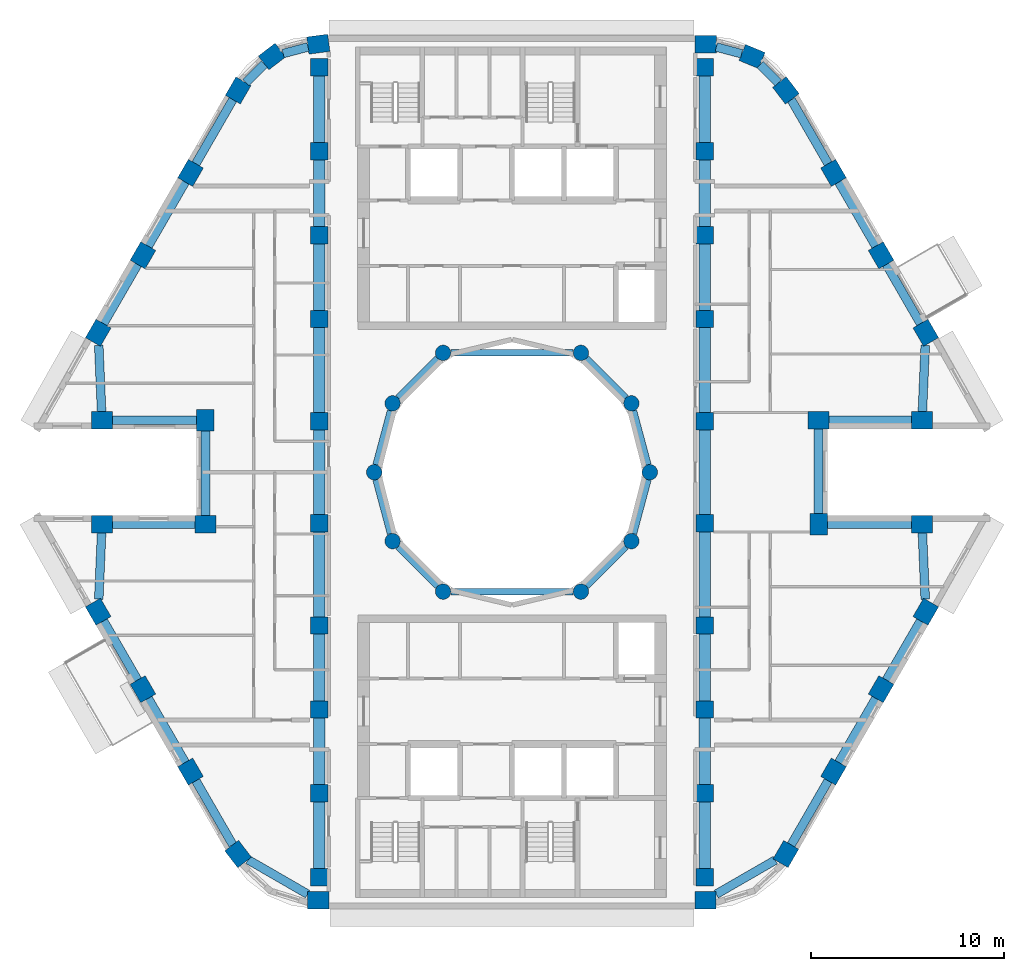
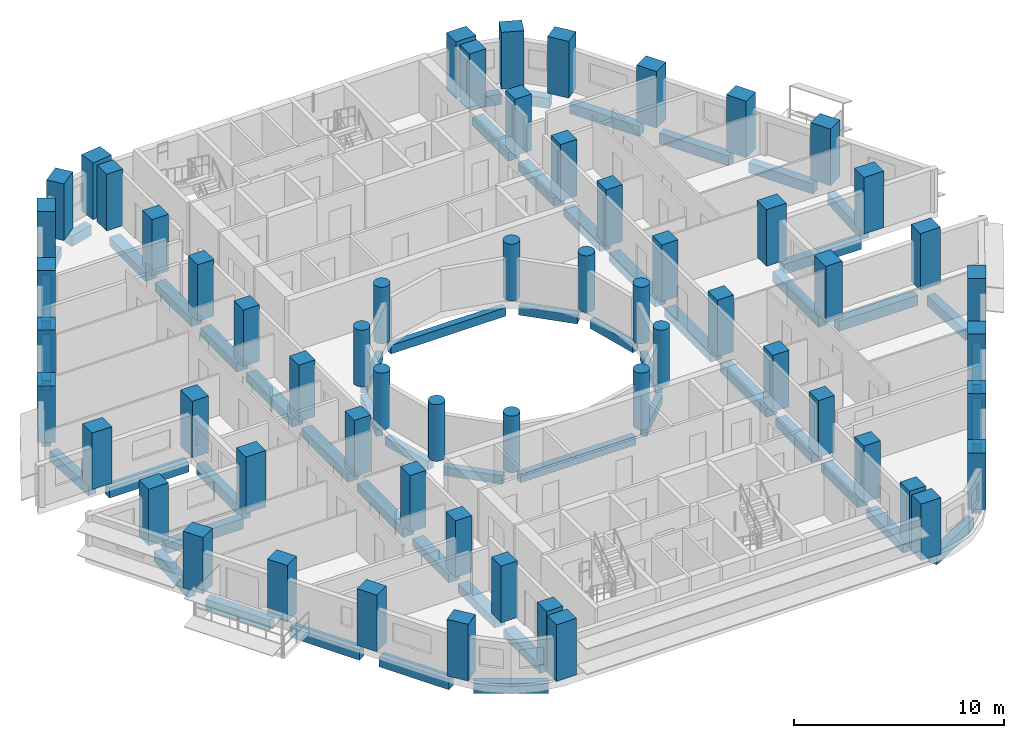
# One storey, part 1 of 16: 60 columns, 56 beams.
"""IFC4 building model written with IfcOpenShell, lengths in metres."""

from ifc_helpers import new_model, si_unit, direction, frame, origin, origin_2d, place, context, subcontext, project, spatial, rectangle, circle, extrude, material, material_profile, profile_set, type_object, element, save


model = new_model("IFC4")

# Units and contexts
model_context = context("Model", 3, precision=1e-05, world=origin(), true_north=direction((0.0, 1.0)))
body_context = subcontext(model_context, "Body", "Model", "MODEL_VIEW")
ifc_project = project(units=[si_unit("LENGTHUNIT", "METRE"), si_unit("AREAUNIT", "SQUARE_METRE"), si_unit("VOLUMEUNIT", "CUBIC_METRE"), si_unit("PLANEANGLEUNIT", "RADIAN"), si_unit("MASSUNIT", "GRAM", prefix="KILO")], contexts=[model_context])

# Site, building, storey
site_placement = place(None, origin())
site = spatial("IfcSite", under=ifc_project, at=site_placement, CompositionType="ELEMENT")
building_placement = place(site_placement, origin())
building = spatial("IfcBuilding", under=site, at=building_placement, Name="Nakaniwa Court", CompositionType="ELEMENT")
storey_placement = place(building_placement, frame((0.0, 0.0, 226.199951171875)))
storey = spatial("IfcBuildingStorey", under=building, at=storey_placement, Name="L58", CompositionType="ELEMENT", Elevation=226.199951171875)

# Columns
ifc_material = material(Name="Concrete C80/100", Category="concrete")
ifc_material_profile_1 = material_profile(ifc_material, rectangle(XDim=1.10009765625, YDim=0.89990234375, at=origin_2d()), Name="Concrete C80/100 RC 1100x900 perimeter column")
ifc_profile_set_1 = profile_set([ifc_material_profile_1], Name="Concrete C80/100")
column_type_1 = type_object("IfcColumnType", Name="Concrete C80/100 RC 1100x900 perimeter column", PredefinedType="COLUMN", material=ifc_profile_set_1)
for number, where, z_axis, x_axis, name in (
    (1, (69.95458984375, 102.199951171875, 0.0), (0.0, 0.0, 1.0), (-0.991442583111, -0.130543496177, 0.0), "COLUMN CO-01"),
    (2, (67.552001953125, 101.560302734375, 0.0), (0.0, 0.0, 1.0), (-0.793363965062, -0.608747582288, 0.0), "COLUMN CO-02"),
    (3, (65.796875, 99.799560546875, 0.0), (0.0, 0.0, 1.0), (-0.5, -0.866025403784, 0.0), "COLUMN CO-03"),
    (4, (63.328857421875, 95.524658203125, 0.0), (0.0, 0.0, 1.0), (-0.5, -0.866025403784, 0.0), "COLUMN CO-04"),
    (5, (60.860595703125, 91.249755859375, 0.0), (0.0, 0.0, 1.0), (-0.5, -0.866025403784, 0.0), "COLUMN CO-05"),
    (6, (58.541015625, 87.232177734375, 0.0), (0.0, 0.0, 1.0), (-0.5, -0.866025403784, 0.0), "COLUMN CO-06"),
    (7, (58.736083984375, 82.699951171875, 0.0), (0.0, 0.0, 1.0), (1.0, 0.0, 0.0), "COLUMN CO-08"),
    (8, (64.1005859375, 82.699951171875, 0.0), (0.0, 0.0, 1.0), (0.0, -1.0, 0.0), "COLUMN CO-09"),
    (9, (64.1005859375, 77.300048828125, 0.0), (0.0, 0.0, 1.0), (-1.0, 0.0, 0.0), "COLUMN CO-10"),
    (10, (58.736083984375, 77.300048828125, 0.0), (0.0, 0.0, 1.0), (-1.0, 0.0, 0.0), "COLUMN CO-11"),
    (11, (58.541015625, 72.767822265625, 0.0), (0.0, 0.0, 1.0), (0.5, -0.866025403784, 0.0), "COLUMN CO-13"),
    (12, (60.860595703125, 68.750244140625, 0.0), (0.0, 0.0, 1.0), (0.5, -0.866025403784, 0.0), "COLUMN CO-14"),
    (13, (63.328857421875, 64.475341796875, 0.0), (0.0, 0.0, 1.0), (0.5, -0.866025403784, 0.0), "COLUMN CO-15"),
    (14, (65.796875, 60.200439453125, 0.0), (0.0, 0.0, 1.0), (0.608761429009, -0.793353340291, 0.0), "COLUMN CO-16"),
    (15, (69.95458984375, 57.800048828125, 0.0), (0.0, 0.0, 1.0), (1.0, 0.0, 0.0), "COLUMN CO-17"),
    (16, (90.03955078125, 57.800048828125, 0.0), (0.0, 0.0, 1.0), (1.0, 0.0, 0.0), "COLUMN CO-21"),
    (17, (94.203125, 60.200439453125, 0.0), (0.0, 0.0, 1.0), (0.5, 0.866025403784, 0.0), "COLUMN CO-22"),
    (18, (96.671142578125, 64.475341796875, 0.0), (0.0, 0.0, 1.0), (0.5, 0.866025403784, 0.0), "COLUMN CO-23"),
    (19, (99.139404296875, 68.750244140625, 0.0), (0.0, 0.0, 1.0), (0.5, 0.866025403784, 0.0), "COLUMN CO-24"),
    (20, (101.458984375, 72.767822265625, 0.0), (0.0, 0.0, 1.0), (0.5, 0.866025403784, 0.0), "COLUMN CO-25"),
    (21, (101.263916015625, 77.300048828125, 0.0), (0.0, 0.0, 1.0), (-1.0, 0.0, 0.0), "COLUMN CO-27"),
    (22, (95.8994140625, 77.300048828125, 0.0), (0.0, 0.0, 1.0), (0.0, 1.0, 0.0), "COLUMN CO-28"),
    (23, (95.8994140625, 82.699951171875, 0.0), (0.0, 0.0, 1.0), (1.0, 0.0, 0.0), "COLUMN CO-29"),
    (24, (101.263916015625, 82.699951171875, 0.0), (0.0, 0.0, 1.0), (1.0, 0.0, 0.0), "COLUMN CO-30"),
    (25, (101.458984375, 87.232177734375, 0.0), (0.0, 0.0, 1.0), (-0.5, 0.866025403784, 0.0), "COLUMN CO-32"),
    (26, (99.139404296875, 91.249755859375, 0.0), (0.0, 0.0, 1.0), (-0.5, 0.866025403784, 0.0), "COLUMN CO-33"),
    (27, (96.671142578125, 95.524658203125, 0.0), (0.0, 0.0, 1.0), (-0.5, 0.866025403784, 0.0), "COLUMN CO-34"),
    (28, (94.203125, 99.799560546875, 0.0), (0.0, 0.0, 1.0), (-0.608761429009, 0.793353340291, 0.0), "COLUMN CO-35"),
    (29, (92.447998046875, 101.560302734375, 0.0), (0.0, 0.0, 1.0), (-0.923879532511, 0.382683432365, 0.0), "COLUMN CO-36"),
    (30, (90.04541015625, 102.199951171875, 0.0), (0.0, 0.0, 1.0), (-1.0, 0.0, 0.0), "COLUMN CO-37"),
):
    element("IfcColumn", number, at=place(storey_placement, frame(where, z_axis=z_axis, x_axis=x_axis)), inside=storey, type_object=column_type_1, Name=name, PredefinedType="COLUMN", context=body_context, shape_type="SweptSolid", body=[
        extrude(rectangle(XDim=1.10009765625, YDim=0.89990234375, at=origin_2d()), origin(), (0.0, 0.0, 1.0), 3.300048828125),
    ])
ifc_material_profile_2 = material_profile(ifc_material, rectangle(XDim=0.89990234375, YDim=0.89990234375, at=origin_2d()), Name="Concrete C80/100 RC 900x900 spine column")
ifc_profile_set_2 = profile_set([ifc_material_profile_2], Name="Concrete C80/100")
column_type_2 = type_object("IfcColumnType", Name="Concrete C80/100 RC 900x900 spine column", PredefinedType="COLUMN", material=ifc_profile_set_2)
for number, where, z_axis, x_axis, name in (
    (31, (90.0, 59.0, 0.0), (0.0, 0.0, 1.0), (0.0, 1.0, 0.0), "COLUMN CS-01"),
    (32, (90.0, 63.35009765625, 0.0), (0.0, 0.0, 1.0), (0.0, 1.0, 0.0), "COLUMN CS-02"),
    (33, (90.0, 67.699951171875, 0.0), (0.0, 0.0, 1.0), (0.0, 1.0, 0.0), "COLUMN CS-03"),
    (34, (90.0, 72.050048828125, 0.0), (0.0, 0.0, 1.0), (0.0, 1.0, 0.0), "COLUMN CS-04"),
    (35, (90.0, 77.35009765625, 0.0), (0.0, 0.0, 1.0), (0.0, 1.0, 0.0), "COLUMN CS-05"),
    (36, (90.0, 82.64990234375, 0.0), (0.0, 0.0, 1.0), (0.0, 1.0, 0.0), "COLUMN CS-06"),
    (37, (90.0, 87.949951171875, 0.0), (0.0, 0.0, 1.0), (0.0, 1.0, 0.0), "COLUMN CS-07"),
    (38, (90.0, 92.300048828125, 0.0), (0.0, 0.0, 1.0), (0.0, 1.0, 0.0), "COLUMN CS-08"),
    (39, (90.0, 96.64990234375, 0.0), (0.0, 0.0, 1.0), (0.0, 1.0, 0.0), "COLUMN CS-09"),
    (40, (90.0, 101.0, 0.0), (0.0, 0.0, 1.0), (0.0, 1.0, 0.0), "COLUMN CS-10"),
    (41, (70.0, 101.0, 0.0), (0.0, 0.0, 1.0), (0.0, -1.0, 0.0), "COLUMN CS-11"),
    (42, (70.0, 96.64990234375, 0.0), (0.0, 0.0, 1.0), (0.0, -1.0, 0.0), "COLUMN CS-12"),
    (43, (70.0, 92.300048828125, 0.0), (0.0, 0.0, 1.0), (0.0, -1.0, 0.0), "COLUMN CS-13"),
    (44, (70.0, 87.949951171875, 0.0), (0.0, 0.0, 1.0), (0.0, -1.0, 0.0), "COLUMN CS-14"),
    (45, (70.0, 82.64990234375, 0.0), (0.0, 0.0, 1.0), (0.0, -1.0, 0.0), "COLUMN CS-15"),
    (46, (70.0, 77.35009765625, 0.0), (0.0, 0.0, 1.0), (0.0, -1.0, 0.0), "COLUMN CS-16"),
    (47, (70.0, 72.050048828125, 0.0), (0.0, 0.0, 1.0), (0.0, -1.0, 0.0), "COLUMN CS-17"),
    (48, (70.0, 67.699951171875, 0.0), (0.0, 0.0, 1.0), (0.0, -1.0, 0.0), "COLUMN CS-18"),
    (49, (70.0, 63.35009765625, 0.0), (0.0, 0.0, 1.0), (0.0, -1.0, 0.0), "COLUMN CS-19"),
    (50, (70.0, 59.0, 0.0), (0.0, 0.0, 1.0), (0.0, -1.0, 0.0), "COLUMN CS-20"),
):
    element("IfcColumn", number, at=place(storey_placement, frame(where, z_axis=z_axis, x_axis=x_axis)), inside=storey, type_object=column_type_2, Name=name, PredefinedType="COLUMN", context=body_context, shape_type="SweptSolid", body=[
        extrude(rectangle(XDim=0.89990234375, YDim=0.89990234375, at=origin_2d()), origin(), (0.0, 0.0, 1.0), 3.300048828125),
    ])
ifc_material_profile_3 = material_profile(ifc_material, circle(Radius=0.39990234375, at=origin_2d()), Name="Concrete C80/100 RC D800 inner ring column")
ifc_profile_set_3 = profile_set([ifc_material_profile_3], Name="Concrete C80/100")
column_type_3 = type_object("IfcColumnType", Name="Concrete C80/100 RC D800 inner ring column", PredefinedType="COLUMN", material=ifc_profile_set_3)
for number, where, z_axis, x_axis, name in (
    (51, (87.14990234375, 80.0, 0.0), (0.0, 0.0, 1.0), (0.0, 1.0, 0.0), "COLUMN CI-01"),
    (52, (86.192138671875, 83.574951171875, 0.0), (0.0, 0.0, 1.0), (-0.5, 0.866025403784, 0.0), "COLUMN CI-02"),
    (53, (83.574951171875, 86.192138671875, 0.0), (0.0, 0.0, 1.0), (-0.866025403784, 0.5, 0.0), "COLUMN CI-03"),
    (54, (76.425048828125, 86.192138671875, 0.0), (0.0, 0.0, 1.0), (-0.866025403784, -0.5, 0.0), "COLUMN CI-05"),
    (55, (73.807861328125, 83.574951171875, 0.0), (0.0, 0.0, 1.0), (-0.5, -0.866025403784, 0.0), "COLUMN CI-06"),
    (56, (72.85009765625, 80.0, 0.0), (0.0, 0.0, 1.0), (0.0, -1.0, 0.0), "COLUMN CI-07"),
    (57, (73.807861328125, 76.425048828125, 0.0), (0.0, 0.0, 1.0), (0.5, -0.866025403784, 0.0), "COLUMN CI-08"),
    (58, (76.425048828125, 73.807861328125, 0.0), (0.0, 0.0, 1.0), (0.866025403784, -0.5, 0.0), "COLUMN CI-09"),
    (59, (83.574951171875, 73.807861328125, 0.0), (0.0, 0.0, 1.0), (0.866025403784, 0.5, 0.0), "COLUMN CI-11"),
    (60, (86.192138671875, 76.425048828125, 0.0), (0.0, 0.0, 1.0), (0.5, 0.866025403784, 0.0), "COLUMN CI-12"),
):
    element("IfcColumn", number, at=place(storey_placement, frame(where, z_axis=z_axis, x_axis=x_axis)), inside=storey, type_object=column_type_3, Name=name, PredefinedType="COLUMN", context=body_context, shape_type="SweptSolid", body=[
        extrude(circle(Radius=0.39990234375, at=origin_2d()), origin(), (0.0, 0.0, 1.0), 3.300048828125),
    ])

# Beams
ifc_material_profile_4 = material_profile(ifc_material, rectangle(XDim=0.35009765625, YDim=0.5, at=origin_2d()), Name="Concrete C80/100 RC 350x500 ring beam")
ifc_profile_set_4 = profile_set([ifc_material_profile_4], Name="Concrete C80/100")
beam_type_1 = type_object("IfcBeamType", Name="Concrete C80/100 RC 350x500 ring beam", PredefinedType="BEAM", material=ifc_profile_set_4)
beam_1_placement = place(storey_placement, frame((87.04638671875, 80.386474609375, -0.659912109375), z_axis=(-0.258778150207, 0.965936783115, 0.0), x_axis=(-0.965936783115, -0.258778150207, 0.0)))
element("IfcBeam", 61, at=beam_1_placement, inside=storey, type_object=beam_type_1, Name="RING BEAM", PredefinedType="BEAM", context=body_context, shape_type="SweptSolid", body=[
    extrude(rectangle(XDim=0.35009765625, YDim=0.5, at=origin_2d()), origin(), (0.0, 0.0, 1.0), 2.901123046875),
])
beam_2_placement = place(storey_placement, frame((85.9091796875, 83.85791015625, -0.659912109375), z_axis=(-0.707106781187, 0.707106781187, 0.0), x_axis=(-0.707106781187, -0.707106781187, 0.0)))
element("IfcBeam", 62, at=beam_2_placement, inside=storey, type_object=beam_type_1, Name="RING BEAM", PredefinedType="BEAM", context=body_context, shape_type="SweptSolid", body=[
    extrude(rectangle(XDim=0.35009765625, YDim=0.5, at=origin_2d()), origin(), (0.0, 0.0, 1.0), 2.90087890625),
])
beam_3_placement = place(storey_placement, frame((83.175048828125, 86.192138671875, -0.659912109375), z_axis=(-1.0, 0.0, 0.0), x_axis=(0.0, -1.0, 0.0)))
element("IfcBeam", 63, at=beam_3_placement, inside=storey, type_object=beam_type_1, Name="RING BEAM", PredefinedType="BEAM", context=body_context, shape_type="SweptSolid", body=[
    extrude(rectangle(XDim=0.35009765625, YDim=0.5, at=origin_2d()), origin(), (0.0, 0.0, 1.0), 6.35009765625),
])
beam_4_placement = place(storey_placement, frame((76.14208984375, 85.9091796875, -0.659912109375), z_axis=(-0.707106781187, -0.707106781187, 0.0), x_axis=(0.707106781187, -0.707106781187, 0.0)))
element("IfcBeam", 64, at=beam_4_placement, inside=storey, type_object=beam_type_1, Name="RING BEAM", PredefinedType="BEAM", context=body_context, shape_type="SweptSolid", body=[
    extrude(rectangle(XDim=0.35009765625, YDim=0.5, at=origin_2d()), origin(), (0.0, 0.0, 1.0), 2.90087890625),
])
for number, where, z_axis, x_axis, name in (
    (65, (73.704345703125, 83.188720703125, -0.659912109375), (-0.258778150207, -0.965936783115, 0.0), (0.965936783115, -0.258778150207, 0.0), "RING BEAM"),
    (66, (72.95361328125, 79.613525390625, -0.659912109375), (0.258778150207, -0.965936783115, 0.0), (0.965936783115, 0.258778150207, 0.0), "RING BEAM"),
):
    element("IfcBeam", number, at=place(storey_placement, frame(where, z_axis=z_axis, x_axis=x_axis)), inside=storey, type_object=beam_type_1, Name=name, PredefinedType="BEAM", context=body_context, shape_type="SweptSolid", body=[
        extrude(rectangle(XDim=0.35009765625, YDim=0.5, at=origin_2d()), origin(), (0.0, 0.0, 1.0), 2.901123046875),
    ])
beam_5_placement = place(storey_placement, frame((74.0908203125, 76.14208984375, -0.659912109375), z_axis=(0.707106781187, -0.707106781187, 0.0), x_axis=(0.707106781187, 0.707106781187, 0.0)))
element("IfcBeam", 67, at=beam_5_placement, inside=storey, type_object=beam_type_1, Name="RING BEAM", PredefinedType="BEAM", context=body_context, shape_type="SweptSolid", body=[
    extrude(rectangle(XDim=0.35009765625, YDim=0.5, at=origin_2d()), origin(), (0.0, 0.0, 1.0), 2.90087890625),
])
beam_6_placement = place(storey_placement, frame((76.824951171875, 73.807861328125, -0.659912109375), z_axis=(1.0, 0.0, 0.0), x_axis=(0.0, 1.0, 0.0)))
element("IfcBeam", 68, at=beam_6_placement, inside=storey, type_object=beam_type_1, Name="RING BEAM", PredefinedType="BEAM", context=body_context, shape_type="SweptSolid", body=[
    extrude(rectangle(XDim=0.35009765625, YDim=0.5, at=origin_2d()), origin(), (0.0, 0.0, 1.0), 6.35009765625),
])
beam_7_placement = place(storey_placement, frame((83.85791015625, 74.0908203125, -0.659912109375), z_axis=(0.707106781187, 0.707106781187, 0.0), x_axis=(-0.707106781187, 0.707106781187, 0.0)))
element("IfcBeam", 69, at=beam_7_placement, inside=storey, type_object=beam_type_1, Name="RING BEAM", PredefinedType="BEAM", context=body_context, shape_type="SweptSolid", body=[
    extrude(rectangle(XDim=0.35009765625, YDim=0.5, at=origin_2d()), origin(), (0.0, 0.0, 1.0), 2.90087890625),
])
beam_8_placement = place(storey_placement, frame((86.295654296875, 76.811279296875, -0.659912109375), z_axis=(0.258778150207, 0.965936783115, 0.0), x_axis=(-0.965936783115, 0.258778150207, 0.0)))
element("IfcBeam", 70, at=beam_8_placement, inside=storey, type_object=beam_type_1, Name="RING BEAM", PredefinedType="BEAM", context=body_context, shape_type="SweptSolid", body=[
    extrude(rectangle(XDim=0.35009765625, YDim=0.5, at=origin_2d()), origin(), (0.0, 0.0, 1.0), 2.901123046875),
])
ifc_material_profile_5 = material_profile(ifc_material, rectangle(XDim=0.449951171875, YDim=0.60009765625, at=origin_2d()), Name="Concrete C80/100 RC 450x600 spandrel beam")
ifc_profile_set_5 = profile_set([ifc_material_profile_5], Name="Concrete C80/100")
beam_type_2 = type_object("IfcBeamType", Name="Concrete C80/100 RC 450x600 spandrel beam", PredefinedType="BEAM", material=ifc_profile_set_5)
beam_9_placement = place(storey_placement, frame((69.418701171875, 102.057373046875, -0.7099609375), z_axis=(-0.966286479475, -0.257469298332, 0.0), x_axis=(0.257469298332, -0.966286479475, 0.0)))
element("IfcBeam", 71, at=beam_9_placement, inside=storey, type_object=beam_type_2, Name="SPANDREL BEAM", PredefinedType="BEAM", context=body_context, shape_type="SweptSolid", body=[
    extrude(rectangle(XDim=0.449951171875, YDim=0.60009765625, at=origin_2d()), origin(), (0.0, 0.0, 1.0), 1.3359375),
])
beam_10_placement = place(storey_placement, frame((67.160400390625, 101.167236328125, -0.7099609375), z_axis=(-0.706030517025, -0.708181409689, 0.0), x_axis=(0.708181409689, -0.706030517025, 0.0)))
element("IfcBeam", 72, at=beam_10_placement, inside=storey, type_object=beam_type_2, Name="SPANDREL BEAM", PredefinedType="BEAM", context=body_context, shape_type="SweptSolid", body=[
    extrude(rectangle(XDim=0.449951171875, YDim=0.60009765625, at=origin_2d()), origin(), (0.0, 0.0, 1.0), 1.362060546875),
])
for number, where, z_axis, x_axis, name in (
    (73, (65.52197265625, 99.3232421875, -0.7099609375), (-0.50001992892, -0.866013897511, 0.0), (0.866013897511, -0.50001992892, 0.0), "SPANDREL BEAM"),
    (74, (63.0537109375, 95.04833984375, -0.7099609375), (-0.499972197867, -0.866041454758, 0.0), (0.866041454758, -0.499972197867, 0.0), "SPANDREL BEAM"),
):
    element("IfcBeam", number, at=place(storey_placement, frame(where, z_axis=z_axis, x_axis=x_axis)), inside=storey, type_object=beam_type_2, Name=name, PredefinedType="BEAM", context=body_context, shape_type="SweptSolid", body=[
        extrude(rectangle(XDim=0.449951171875, YDim=0.60009765625, at=origin_2d()), origin(), (0.0, 0.0, 1.0), 3.836181640625),
    ])
beam_11_placement = place(storey_placement, frame((60.585693359375, 90.7734375, -0.7099609375), z_axis=(-0.499997139945, -0.866027055032, 0.0), x_axis=(0.866027055032, -0.499997139945, 0.0)))
element("IfcBeam", 75, at=beam_11_placement, inside=storey, type_object=beam_type_2, Name="SPANDREL BEAM", PredefinedType="BEAM", context=body_context, shape_type="SweptSolid", body=[
    extrude(rectangle(XDim=0.449951171875, YDim=0.60009765625, at=origin_2d()), origin(), (0.0, 0.0, 1.0), 3.5390625),
])
beam_12_placement = place(storey_placement, frame((58.569091796875, 86.580810546875, -0.7099609375), z_axis=(0.042940503042, -0.999077631217, 0.0), x_axis=(0.999077631217, 0.042940503042, 0.0)))
element("IfcBeam", 76, at=beam_12_placement, inside=storey, type_object=beam_type_2, Name="SPANDREL BEAM", PredefinedType="BEAM", context=body_context, shape_type="SweptSolid", body=[
    extrude(rectangle(XDim=0.449951171875, YDim=0.60009765625, at=origin_2d()), origin(), (0.0, 0.0, 1.0), 3.43408203125),
])
beam_13_placement = place(storey_placement, frame((59.285888671875, 82.699951171875, -0.7099609375), z_axis=(1.0, 0.0, 0.0), x_axis=(0.0, 1.0, 0.0)))
element("IfcBeam", 77, at=beam_13_placement, inside=storey, type_object=beam_type_2, Name="SPANDREL BEAM", PredefinedType="BEAM", context=body_context, shape_type="SweptSolid", body=[
    extrude(rectangle(XDim=0.449951171875, YDim=0.60009765625, at=origin_2d()), origin(), (0.0, 0.0, 1.0), 4.364501953125),
])
beam_14_placement = place(storey_placement, frame((64.1005859375, 82.14990234375, -0.7099609375), z_axis=(0.0, -1.0, 0.0), x_axis=(1.0, 0.0, 0.0)))
element("IfcBeam", 78, at=beam_14_placement, inside=storey, type_object=beam_type_2, Name="SPANDREL BEAM", PredefinedType="BEAM", context=body_context, shape_type="SweptSolid", body=[
    extrude(rectangle(XDim=0.449951171875, YDim=0.60009765625, at=origin_2d()), origin(), (0.0, 0.0, 1.0), 4.39990234375),
])
beam_15_placement = place(storey_placement, frame((63.550537109375, 77.300048828125, -0.7099609375), z_axis=(-1.0, 0.0, 0.0), x_axis=(0.0, -1.0, 0.0)))
element("IfcBeam", 79, at=beam_15_placement, inside=storey, type_object=beam_type_2, Name="SPANDREL BEAM", PredefinedType="BEAM", context=body_context, shape_type="SweptSolid", body=[
    extrude(rectangle(XDim=0.449951171875, YDim=0.60009765625, at=origin_2d()), origin(), (0.0, 0.0, 1.0), 4.2646484375),
])
beam_16_placement = place(storey_placement, frame((58.716552734375, 76.85009765625, -0.7099609375), z_axis=(-0.042940503042, -0.999077631217, 0.0), x_axis=(0.999077631217, -0.042940503042, 0.0)))
element("IfcBeam", 80, at=beam_16_placement, inside=storey, type_object=beam_type_2, Name="SPANDREL BEAM", PredefinedType="BEAM", context=body_context, shape_type="SweptSolid", body=[
    extrude(rectangle(XDim=0.449951171875, YDim=0.60009765625, at=origin_2d()), origin(), (0.0, 0.0, 1.0), 3.43408203125),
])
beam_17_placement = place(storey_placement, frame((58.816162109375, 72.29150390625, -0.7099609375), z_axis=(0.499997139945, -0.866027055032, 0.0), x_axis=(0.866027055032, 0.499997139945, 0.0)))
element("IfcBeam", 81, at=beam_17_placement, inside=storey, type_object=beam_type_2, Name="SPANDREL BEAM", PredefinedType="BEAM", context=body_context, shape_type="SweptSolid", body=[
    extrude(rectangle(XDim=0.449951171875, YDim=0.60009765625, at=origin_2d()), origin(), (0.0, 0.0, 1.0), 3.5390625),
])
beam_18_placement = place(storey_placement, frame((61.1357421875, 68.27392578125, -0.7099609375), z_axis=(0.499972197867, -0.866041454758, 0.0), x_axis=(0.866041454758, 0.499972197867, 0.0)))
element("IfcBeam", 82, at=beam_18_placement, inside=storey, type_object=beam_type_2, Name="SPANDREL BEAM", PredefinedType="BEAM", context=body_context, shape_type="SweptSolid", body=[
    extrude(rectangle(XDim=0.449951171875, YDim=0.60009765625, at=origin_2d()), origin(), (0.0, 0.0, 1.0), 3.836181640625),
])
beam_19_placement = place(storey_placement, frame((63.603759765625, 63.9990234375, -0.7099609375), z_axis=(0.500011110731, -0.866018988906, 0.0), x_axis=(0.866018988906, 0.500011110731, 0.0)))
element("IfcBeam", 83, at=beam_19_placement, inside=storey, type_object=beam_type_2, Name="SPANDREL BEAM", PredefinedType="BEAM", context=body_context, shape_type="SweptSolid", body=[
    extrude(rectangle(XDim=0.449951171875, YDim=0.60009765625, at=origin_2d()), origin(), (0.0, 0.0, 1.0), 3.83154296875),
])
beam_20_placement = place(storey_placement, frame((66.3125, 59.90283203125, -0.7099609375), z_axis=(0.866017069707, -0.500014434768, 0.0), x_axis=(0.500014434768, 0.866017069707, 0.0)))
element("IfcBeam", 84, at=beam_20_placement, inside=storey, type_object=beam_type_2, Name="SPANDREL BEAM", PredefinedType="BEAM", context=body_context, shape_type="SweptSolid", body=[
    extrude(rectangle(XDim=0.449951171875, YDim=0.60009765625, at=origin_2d()), origin(), (0.0, 0.0, 1.0), 3.57080078125),
])
beam_21_placement = place(storey_placement, frame((90.589599609375, 58.1171875, -0.7099609375), z_axis=(0.866307414098, 0.499511225378, 0.0), x_axis=(-0.499511225378, 0.866307414098, 0.0)))
element("IfcBeam", 85, at=beam_21_placement, inside=storey, type_object=beam_type_2, Name="SPANDREL BEAM", PredefinedType="BEAM", context=body_context, shape_type="SweptSolid", body=[
    extrude(rectangle(XDim=0.449951171875, YDim=0.60009765625, at=origin_2d()), origin(), (0.0, 0.0, 1.0), 3.53564453125),
])
for number, where, z_axis, x_axis, name in (
    (86, (94.47802734375, 60.6767578125, -0.7099609375), (0.50001992892, 0.866013897511, 0.0), (-0.866013897511, 0.50001992892, 0.0), "SPANDREL BEAM"),
    (87, (96.9462890625, 64.95166015625, -0.7099609375), (0.499972197867, 0.866041454758, 0.0), (-0.866041454758, 0.499972197867, 0.0), "SPANDREL BEAM"),
):
    element("IfcBeam", number, at=place(storey_placement, frame(where, z_axis=z_axis, x_axis=x_axis)), inside=storey, type_object=beam_type_2, Name=name, PredefinedType="BEAM", context=body_context, shape_type="SweptSolid", body=[
        extrude(rectangle(XDim=0.449951171875, YDim=0.60009765625, at=origin_2d()), origin(), (0.0, 0.0, 1.0), 3.836181640625),
    ])
beam_22_placement = place(storey_placement, frame((99.414306640625, 69.2265625, -0.7099609375), z_axis=(0.499997139945, 0.866027055032, 0.0), x_axis=(-0.866027055032, 0.499997139945, 0.0)))
element("IfcBeam", 88, at=beam_22_placement, inside=storey, type_object=beam_type_2, Name="SPANDREL BEAM", PredefinedType="BEAM", context=body_context, shape_type="SweptSolid", body=[
    extrude(rectangle(XDim=0.449951171875, YDim=0.60009765625, at=origin_2d()), origin(), (0.0, 0.0, 1.0), 3.5390625),
])
beam_23_placement = place(storey_placement, frame((101.430908203125, 73.419189453125, -0.7099609375), z_axis=(-0.042940503042, 0.999077631217, 0.0), x_axis=(-0.999077631217, -0.042940503042, 0.0)))
element("IfcBeam", 89, at=beam_23_placement, inside=storey, type_object=beam_type_2, Name="SPANDREL BEAM", PredefinedType="BEAM", context=body_context, shape_type="SweptSolid", body=[
    extrude(rectangle(XDim=0.449951171875, YDim=0.60009765625, at=origin_2d()), origin(), (0.0, 0.0, 1.0), 3.43408203125),
])
beam_24_placement = place(storey_placement, frame((100.714111328125, 77.300048828125, -0.7099609375), z_axis=(-1.0, 0.0, 0.0), x_axis=(0.0, -1.0, 0.0)))
element("IfcBeam", 90, at=beam_24_placement, inside=storey, type_object=beam_type_2, Name="SPANDREL BEAM", PredefinedType="BEAM", context=body_context, shape_type="SweptSolid", body=[
    extrude(rectangle(XDim=0.449951171875, YDim=0.60009765625, at=origin_2d()), origin(), (0.0, 0.0, 1.0), 4.364501953125),
])
beam_25_placement = place(storey_placement, frame((95.8994140625, 77.85009765625, -0.7099609375), z_axis=(0.0, 1.0, 0.0), x_axis=(-1.0, 0.0, 0.0)))
element("IfcBeam", 91, at=beam_25_placement, inside=storey, type_object=beam_type_2, Name="SPANDREL BEAM", PredefinedType="BEAM", context=body_context, shape_type="SweptSolid", body=[
    extrude(rectangle(XDim=0.449951171875, YDim=0.60009765625, at=origin_2d()), origin(), (0.0, 0.0, 1.0), 4.39990234375),
])
beam_26_placement = place(storey_placement, frame((96.449462890625, 82.699951171875, -0.7099609375), z_axis=(1.0, 0.0, 0.0), x_axis=(0.0, 1.0, 0.0)))
element("IfcBeam", 92, at=beam_26_placement, inside=storey, type_object=beam_type_2, Name="SPANDREL BEAM", PredefinedType="BEAM", context=body_context, shape_type="SweptSolid", body=[
    extrude(rectangle(XDim=0.449951171875, YDim=0.60009765625, at=origin_2d()), origin(), (0.0, 0.0, 1.0), 4.2646484375),
])
beam_27_placement = place(storey_placement, frame((101.283447265625, 83.14990234375, -0.7099609375), z_axis=(0.042940503042, 0.999077631217, 0.0), x_axis=(-0.999077631217, 0.042940503042, 0.0)))
element("IfcBeam", 93, at=beam_27_placement, inside=storey, type_object=beam_type_2, Name="SPANDREL BEAM", PredefinedType="BEAM", context=body_context, shape_type="SweptSolid", body=[
    extrude(rectangle(XDim=0.449951171875, YDim=0.60009765625, at=origin_2d()), origin(), (0.0, 0.0, 1.0), 3.43408203125),
])
beam_28_placement = place(storey_placement, frame((101.183837890625, 87.70849609375, -0.7099609375), z_axis=(-0.499997139945, 0.866027055032, 0.0), x_axis=(-0.866027055032, -0.499997139945, 0.0)))
element("IfcBeam", 94, at=beam_28_placement, inside=storey, type_object=beam_type_2, Name="SPANDREL BEAM", PredefinedType="BEAM", context=body_context, shape_type="SweptSolid", body=[
    extrude(rectangle(XDim=0.449951171875, YDim=0.60009765625, at=origin_2d()), origin(), (0.0, 0.0, 1.0), 3.5390625),
])
beam_29_placement = place(storey_placement, frame((98.8642578125, 91.72607421875, -0.7099609375), z_axis=(-0.499972197867, 0.866041454758, 0.0), x_axis=(-0.866041454758, -0.499972197867, 0.0)))
element("IfcBeam", 95, at=beam_29_placement, inside=storey, type_object=beam_type_2, Name="SPANDREL BEAM", PredefinedType="BEAM", context=body_context, shape_type="SweptSolid", body=[
    extrude(rectangle(XDim=0.449951171875, YDim=0.60009765625, at=origin_2d()), origin(), (0.0, 0.0, 1.0), 3.836181640625),
])
beam_30_placement = place(storey_placement, frame((96.396240234375, 96.0009765625, -0.7099609375), z_axis=(-0.500011110731, 0.866018988906, 0.0), x_axis=(-0.866018988906, -0.500011110731, 0.0)))
element("IfcBeam", 96, at=beam_30_placement, inside=storey, type_object=beam_type_2, Name="SPANDREL BEAM", PredefinedType="BEAM", context=body_context, shape_type="SweptSolid", body=[
    extrude(rectangle(XDim=0.449951171875, YDim=0.60009765625, at=origin_2d()), origin(), (0.0, 0.0, 1.0), 3.83154296875),
])
beam_31_placement = place(storey_placement, frame((93.8115234375, 100.1923828125, -0.7099609375), z_axis=(-0.706100745773, 0.708111387296, 0.0), x_axis=(-0.708111387296, -0.706100745773, 0.0)))
element("IfcBeam", 97, at=beam_31_placement, inside=storey, type_object=beam_type_2, Name="SPANDREL BEAM", PredefinedType="BEAM", context=body_context, shape_type="SweptSolid", body=[
    extrude(rectangle(XDim=0.449951171875, YDim=0.60009765625, at=origin_2d()), origin(), (0.0, 0.0, 1.0), 1.335693359375),
])
beam_32_placement = place(storey_placement, frame((91.91162109375, 101.702880859375, -0.7099609375), z_axis=(-0.966318174979, 0.257350315146, 0.0), x_axis=(-0.257350315146, -0.966318174979, 0.0)))
element("IfcBeam", 98, at=beam_32_placement, inside=storey, type_object=beam_type_2, Name="SPANDREL BEAM", PredefinedType="BEAM", context=body_context, shape_type="SweptSolid", body=[
    extrude(rectangle(XDim=0.449951171875, YDim=0.60009765625, at=origin_2d()), origin(), (0.0, 0.0, 1.0), 1.3623046875),
])
ifc_material_profile_6 = material_profile(ifc_material, rectangle(XDim=0.60009765625, YDim=0.5, at=origin_2d()), Name="Concrete C80/100 RC 600x500 ring beam")
ifc_profile_set_6 = profile_set([ifc_material_profile_6], Name="Concrete C80/100")
beam_type_3 = type_object("IfcBeamType", Name="Concrete C80/100 RC 600x500 ring beam", PredefinedType="BEAM", material=ifc_profile_set_6)
for number, where, z_axis, x_axis, name in (
    (99, (90.0, 59.449951171875, -0.659912109375), (0.0, 1.0, 0.0), (-1.0, 0.0, 0.0), "RING BEAM"),
    (100, (90.0, 63.800048828125, -0.659912109375), (0.0, 1.0, 0.0), (-1.0, 0.0, 0.0), "RING BEAM"),
):
    element("IfcBeam", number, at=place(storey_placement, frame(where, z_axis=z_axis, x_axis=x_axis)), inside=storey, type_object=beam_type_3, Name=name, PredefinedType="BEAM", context=body_context, shape_type="SweptSolid", body=[
        extrude(rectangle(XDim=0.60009765625, YDim=0.5, at=origin_2d()), origin(), (0.0, 0.0, 1.0), 3.449951171875),
    ])
beam_33_placement = place(storey_placement, frame((90.0, 68.14990234375, -0.659912109375), z_axis=(0.0, 1.0, 0.0), x_axis=(-1.0, 0.0, 0.0)))
element("IfcBeam", 101, at=beam_33_placement, inside=storey, type_object=beam_type_3, Name="RING BEAM", PredefinedType="BEAM", context=body_context, shape_type="SweptSolid", body=[
    extrude(rectangle(XDim=0.60009765625, YDim=0.5, at=origin_2d()), origin(), (0.0, 0.0, 1.0), 3.4501953125),
])
for number, where, z_axis, x_axis, name in (
    (102, (90.0, 72.5, -0.659912109375), (0.0, 1.0, 0.0), (-1.0, 0.0, 0.0), "RING BEAM"),
    (103, (90.0, 77.800048828125, -0.659912109375), (0.0, 1.0, 0.0), (-1.0, 0.0, 0.0), "RING BEAM"),
    (104, (90.0, 83.10009765625, -0.659912109375), (0.0, 1.0, 0.0), (-1.0, 0.0, 0.0), "RING BEAM"),
):
    element("IfcBeam", number, at=place(storey_placement, frame(where, z_axis=z_axis, x_axis=x_axis)), inside=storey, type_object=beam_type_3, Name=name, PredefinedType="BEAM", context=body_context, shape_type="SweptSolid", body=[
        extrude(rectangle(XDim=0.60009765625, YDim=0.5, at=origin_2d()), origin(), (0.0, 0.0, 1.0), 4.39990234375),
    ])
beam_34_placement = place(storey_placement, frame((90.0, 88.39990234375, -0.659912109375), z_axis=(0.0, 1.0, 0.0), x_axis=(-1.0, 0.0, 0.0)))
element("IfcBeam", 105, at=beam_34_placement, inside=storey, type_object=beam_type_3, Name="RING BEAM", PredefinedType="BEAM", context=body_context, shape_type="SweptSolid", body=[
    extrude(rectangle(XDim=0.60009765625, YDim=0.5, at=origin_2d()), origin(), (0.0, 0.0, 1.0), 3.4501953125),
])
for number, where, z_axis, x_axis, name in (
    (106, (90.0, 92.75, -0.659912109375), (0.0, 1.0, 0.0), (-1.0, 0.0, 0.0), "RING BEAM"),
    (107, (90.0, 97.10009765625, -0.659912109375), (0.0, 1.0, 0.0), (-1.0, 0.0, 0.0), "RING BEAM"),
    (108, (70.0, 100.550048828125, -0.659912109375), (0.0, -1.0, 0.0), (1.0, 0.0, 0.0), "RING BEAM"),
    (109, (70.0, 96.199951171875, -0.659912109375), (0.0, -1.0, 0.0), (1.0, 0.0, 0.0), "RING BEAM"),
):
    element("IfcBeam", number, at=place(storey_placement, frame(where, z_axis=z_axis, x_axis=x_axis)), inside=storey, type_object=beam_type_3, Name=name, PredefinedType="BEAM", context=body_context, shape_type="SweptSolid", body=[
        extrude(rectangle(XDim=0.60009765625, YDim=0.5, at=origin_2d()), origin(), (0.0, 0.0, 1.0), 3.449951171875),
    ])
beam_35_placement = place(storey_placement, frame((70.0, 91.85009765625, -0.659912109375), z_axis=(0.0, -1.0, 0.0), x_axis=(1.0, 0.0, 0.0)))
element("IfcBeam", 110, at=beam_35_placement, inside=storey, type_object=beam_type_3, Name="RING BEAM", PredefinedType="BEAM", context=body_context, shape_type="SweptSolid", body=[
    extrude(rectangle(XDim=0.60009765625, YDim=0.5, at=origin_2d()), origin(), (0.0, 0.0, 1.0), 3.4501953125),
])
for number, where, z_axis, x_axis, name in (
    (111, (70.0, 87.5, -0.659912109375), (0.0, -1.0, 0.0), (1.0, 0.0, 0.0), "RING BEAM"),
    (112, (70.0, 82.199951171875, -0.659912109375), (0.0, -1.0, 0.0), (1.0, 0.0, 0.0), "RING BEAM"),
    (113, (70.0, 76.89990234375, -0.659912109375), (0.0, -1.0, 0.0), (1.0, 0.0, 0.0), "RING BEAM"),
):
    element("IfcBeam", number, at=place(storey_placement, frame(where, z_axis=z_axis, x_axis=x_axis)), inside=storey, type_object=beam_type_3, Name=name, PredefinedType="BEAM", context=body_context, shape_type="SweptSolid", body=[
        extrude(rectangle(XDim=0.60009765625, YDim=0.5, at=origin_2d()), origin(), (0.0, 0.0, 1.0), 4.39990234375),
    ])
beam_36_placement = place(storey_placement, frame((70.0, 71.60009765625, -0.659912109375), z_axis=(0.0, -1.0, 0.0), x_axis=(1.0, 0.0, 0.0)))
element("IfcBeam", 114, at=beam_36_placement, inside=storey, type_object=beam_type_3, Name="RING BEAM", PredefinedType="BEAM", context=body_context, shape_type="SweptSolid", body=[
    extrude(rectangle(XDim=0.60009765625, YDim=0.5, at=origin_2d()), origin(), (0.0, 0.0, 1.0), 3.4501953125),
])
for number, where, z_axis, x_axis, name in (
    (115, (70.0, 67.25, -0.659912109375), (0.0, -1.0, 0.0), (1.0, 0.0, 0.0), "RING BEAM"),
    (116, (70.0, 62.89990234375, -0.659912109375), (0.0, -1.0, 0.0), (1.0, 0.0, 0.0), "RING BEAM"),
):
    element("IfcBeam", number, at=place(storey_placement, frame(where, z_axis=z_axis, x_axis=x_axis)), inside=storey, type_object=beam_type_3, Name=name, PredefinedType="BEAM", context=body_context, shape_type="SweptSolid", body=[
        extrude(rectangle(XDim=0.60009765625, YDim=0.5, at=origin_2d()), origin(), (0.0, 0.0, 1.0), 3.449951171875),
    ])

save(model, "model.ifc")
